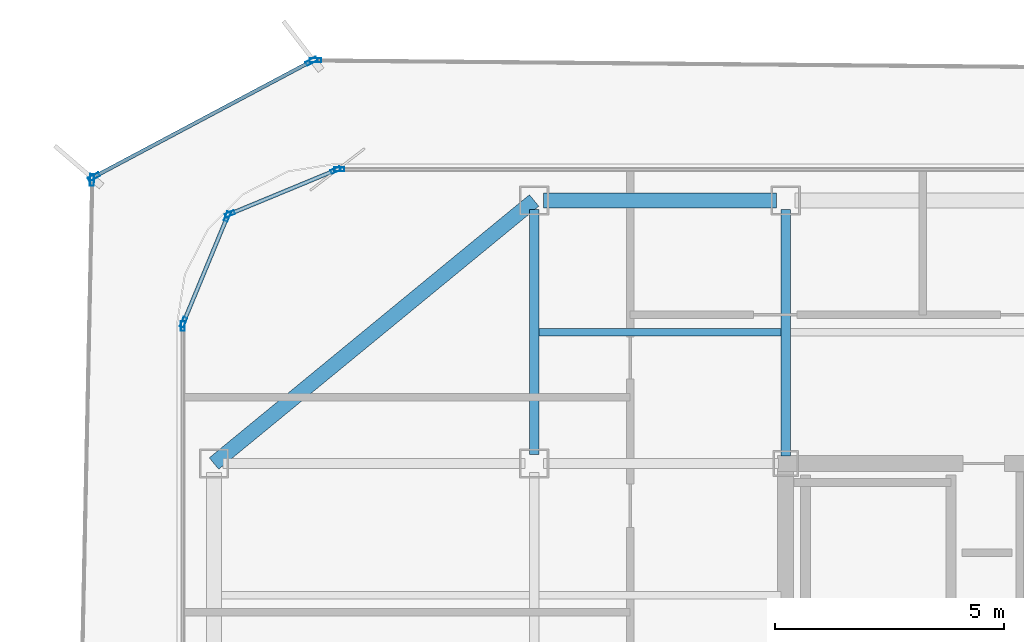
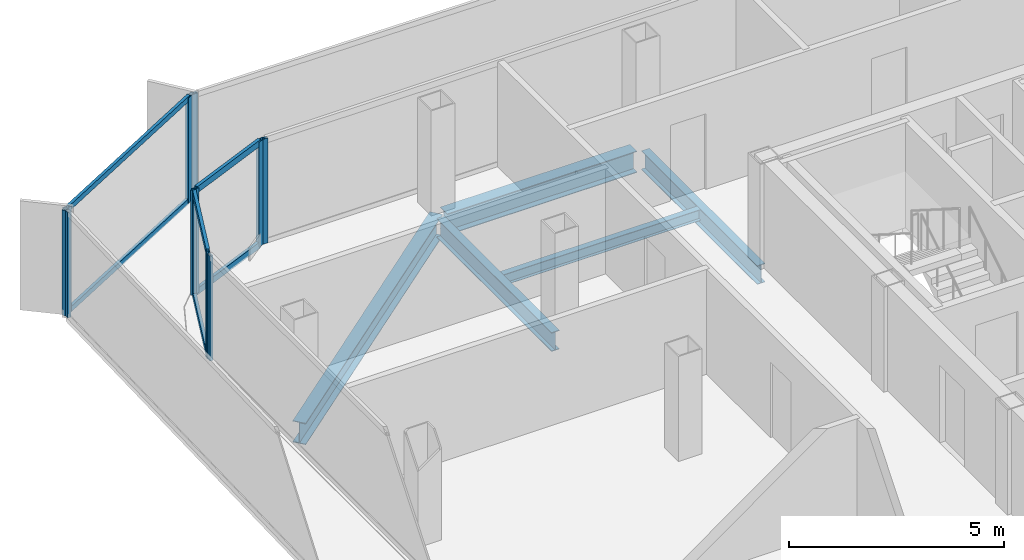
# One storey, part 6 of 15: 16 members, 5 beams, 7 elements without a shape of their own.
"""IFC4 building model written with IfcOpenShell, lengths in metres."""

from ifc_helpers import new_model, si_unit, direction, frame, origin, origin_2d, place, context, subcontext, project, spatial, hollow_rectangle, i_section, extrude, source, transform, mapped, material, layer, layer_set, material_profile, profile_set, type_object, element, aggregate, save


model = new_model("IFC4")

# Units and contexts
model_context = context("Model", 3, precision=1e-05, world=origin(), true_north=direction((0.0, 1.0)))
body_context = subcontext(model_context, "Body", "Model", "MODEL_VIEW")
ifc_project = project(units=[si_unit("LENGTHUNIT", "METRE"), si_unit("AREAUNIT", "SQUARE_METRE"), si_unit("VOLUMEUNIT", "CUBIC_METRE"), si_unit("PLANEANGLEUNIT", "RADIAN"), si_unit("MASSUNIT", "GRAM", prefix="KILO")], contexts=[model_context])

# Site, building, storey
site_placement = place(None, origin())
site = spatial("IfcSite", under=ifc_project, at=site_placement, CompositionType="ELEMENT")
building_placement = place(site_placement, origin())
building = spatial("IfcBuilding", under=site, at=building_placement, Name="Kolveth Station Tower", CompositionType="ELEMENT")
storey_placement = place(building_placement, frame((0.0, 0.0, 255.300048828125)))
storey = spatial("IfcBuildingStorey", under=building, at=storey_placement, Name="L73", CompositionType="ELEMENT", Elevation=255.300048828125)

# Beams
ifc_material_1 = material(Name="Steel S355", Category="steel")
ifc_material_profile_1 = material_profile(ifc_material_1, i_section(OverallWidth=0.323974609375, OverallDepth=0.611083984375, WebThickness=0.0126953125, FlangeThickness=0.01904296875, at=origin_2d()), Name="W610x155")
ifc_profile_set_1 = profile_set([ifc_material_profile_1], Name="Steel S355")
beam_type_1 = type_object("IfcBeamType", Name="Beam_SP2", PredefinedType="SPANDREL", material=ifc_profile_set_1)
shared_shape_1 = source(origin(), body_context, "Body", "SweptSolid", [
    extrude(i_section(OverallWidth=0.323974609375, OverallDepth=0.611083984375, WebThickness=0.0126953125, FlangeThickness=0.01904296875, at=origin_2d()), origin(), (0.0, 0.0, 1.0), 9.058837890625),
])
beam_1_placement = place(storey_placement, frame((13.0, 34.5, -0.525634765625), z_axis=(-0.772726254525, -0.63473942336, 0.0), x_axis=(0.63473942336, -0.772726254525, 0.0)))
element("IfcBeam", 1, at=beam_1_placement, inside=storey, type_object=beam_type_1, Name="L73 Corner Edge Girder BM-L73-CNR-NW", PredefinedType="SPANDREL", context=body_context, shape_type="MappedRepresentation", body=[
    mapped(shared_shape_1, transform((0.0, 0.0, 0.0), x_axis=(1.0, 0.0, 0.0), y_axis=(0.0, 1.0, 0.0), z_axis=(0.0, 0.0, 1.0), scale=1.0)),
])
shared_shape_2 = source(origin(), body_context, "Body", "SweptSolid", [
    extrude(i_section(OverallWidth=0.323974609375, OverallDepth=0.611083984375, WebThickness=0.0126953125, FlangeThickness=0.01904296875, at=origin_2d()), origin(), (0.0, 0.0, 1.0), 5.10009765625),
])
beam_2_placement = place(storey_placement, frame((13.199951171875, 34.5, -0.525634765625), z_axis=(1.0, 0.0, 0.0), x_axis=(0.0, 1.0, 0.0)))
element("IfcBeam", 2, at=beam_2_placement, inside=storey, type_object=beam_type_1, Name="L73 Perimeter Spandrel BM-L73-PN-1", PredefinedType="SPANDREL", context=body_context, shape_type="MappedRepresentation", body=[
    mapped(shared_shape_2, transform((0.0, 0.0, 0.0), x_axis=(1.0, 0.0, 0.0), y_axis=(0.0, 1.0, 0.0), z_axis=(0.0, 0.0, 1.0), scale=1.0)),
])
ifc_material_profile_2 = material_profile(ifc_material_1, i_section(OverallWidth=0.2099609375, OverallDepth=0.537109375, WebThickness=0.010986328125, FlangeThickness=0.017333984375, at=origin_2d()), Name="W530x101")
ifc_profile_set_2 = profile_set([ifc_material_profile_2], Name="Steel S355")
beam_type_2 = type_object("IfcBeamType", Name="Beam_B6", PredefinedType="BEAM", material=ifc_profile_set_2)
shared_shape_3 = source(origin(), body_context, "Body", "SweptSolid", [
    extrude(i_section(OverallWidth=0.2099609375, OverallDepth=0.537109375, WebThickness=0.010986328125, FlangeThickness=0.017333984375, at=origin_2d()), origin(), (0.0, 0.0, 1.0), 5.35009765625),
])
beam_3_placement = place(storey_placement, frame((13.0, 28.949951171875, -0.488525390625), z_axis=(0.0, 1.0, 0.0), x_axis=(-1.0, 0.0, 0.0)))
element("IfcBeam", 3, at=beam_3_placement, inside=storey, type_object=beam_type_2, Name="L73 Primary Girder BM-L73-GX130-6", PredefinedType="BEAM", context=body_context, shape_type="MappedRepresentation", body=[
    mapped(shared_shape_3, transform((0.0, 0.0, 0.0), x_axis=(1.0, 0.0, 0.0), y_axis=(0.0, 1.0, 0.0), z_axis=(0.0, 0.0, 1.0), scale=1.0)),
])
shared_shape_4 = source(origin(), body_context, "Body", "SweptSolid", [
    extrude(i_section(OverallWidth=0.2099609375, OverallDepth=0.537109375, WebThickness=0.010986328125, FlangeThickness=0.017333984375, at=origin_2d()), origin(), (0.0, 0.0, 1.0), 5.39013671875),
])
beam_4_placement = place(storey_placement, frame((18.5, 28.909912109375, -0.488525390625), z_axis=(0.0, 1.0, 0.0), x_axis=(-1.0, 0.0, 0.0)))
element("IfcBeam", 4, at=beam_4_placement, inside=storey, type_object=beam_type_2, Name="L73 Primary Girder BM-L73-GX185-6", PredefinedType="BEAM", context=body_context, shape_type="MappedRepresentation", body=[
    mapped(shared_shape_4, transform((0.0, 0.0, 0.0), x_axis=(1.0, 0.0, 0.0), y_axis=(0.0, 1.0, 0.0), z_axis=(0.0, 0.0, 1.0), scale=1.0)),
])
ifc_material_profile_3 = material_profile(ifc_material_1, i_section(OverallWidth=0.1650390625, OverallDepth=0.31005859375, WebThickness=0.005859375, FlangeThickness=0.009765625, at=origin_2d()), Name="W310x39")
ifc_profile_set_3 = profile_set([ifc_material_profile_3], Name="Steel S355")
beam_type_3 = type_object("IfcBeamType", Name="Beam_J3", PredefinedType="JOIST", material=ifc_profile_set_3)
shared_shape_5 = source(origin(), body_context, "Body", "SweptSolid", [
    extrude(i_section(OverallWidth=0.1650390625, OverallDepth=0.31005859375, WebThickness=0.005859375, FlangeThickness=0.009765625, at=origin_2d()), origin(), (0.0, 0.0, 1.0), 5.2939453125),
])
beam_5_placement = place(storey_placement, frame((13.10302734375, 31.625, -0.375), z_axis=(1.0, 0.0, 0.0), x_axis=(0.0, 1.0, 0.0)))
element("IfcBeam", 5, at=beam_5_placement, inside=storey, type_object=beam_type_3, Name="L73 Secondary Joist JST-L73-2-6", PredefinedType="JOIST", context=body_context, shape_type="MappedRepresentation", body=[
    mapped(shared_shape_5, transform((0.0, 0.0, 0.0), x_axis=(1.0, 0.0, 0.0), y_axis=(0.0, 1.0, 0.0), z_axis=(0.0, 0.0, 1.0), scale=1.0)),
])

# Curtain wall, member
ifc_material_2 = material(Name="Black anodized aluminium 6063-T6 and dark solar glass", Category="aluminium")
ifc_layer_1 = layer(ifc_material_2, 0.159912109375)
ifc_layer_set_1 = layer_set([ifc_layer_1], Name="Black anodized aluminium 6063-T6 and dark solar glass")
curtain_wall_type_1 = type_object("IfcCurtainWallType", Name="OUTER SKIN CW-OS", PredefinedType="NOTDEFINED", material=ifc_layer_set_1)
curtain_wall_1_placement = place(storey_placement, origin())
curtain_wall_1 = element("IfcCurtainWall", 6, at=curtain_wall_1_placement, inside=storey, type_object=curtain_wall_type_1, Name="L73 Outer Ventilated Skin Curtain Wall 4", PredefinedType="NOTDEFINED")
ifc_material_3 = material(Name="Black anodized aluminium 6063-T6", Category="aluminium")
ifc_material_profile_4 = material_profile(ifc_material_3, hollow_rectangle(XDim=0.090087890625, YDim=0.260009765625, WallThickness=0.0048828125, at=origin_2d()), Name="ALU-90x260x5")
ifc_profile_set_4 = profile_set([ifc_material_profile_4], Name="Black anodized aluminium 6063-T6")
member_type_1 = type_object("IfcMemberType", Name="FIN MULLION ML-OS", PredefinedType="MULLION", material=ifc_profile_set_4)
shared_shape_6 = source(origin(), body_context, "Body", "SweptSolid", [
    extrude(hollow_rectangle(XDim=0.090087890625, YDim=0.260009765625, WallThickness=0.0048828125, at=origin_2d()), origin(), (0.0, 0.0, 1.0), 2.989990234375),
])
member_1_placement = place(storey_placement, frame((8.218994140625, 37.56689453125, 0.0), z_axis=(0.0, 0.0, 1.0), x_axis=(-0.009021779458, -0.99995930292, 0.0)))
member_1 = element("IfcMember", 7, at=member_1_placement, type_object=member_type_1, Name="CW-OS mullion 2", PredefinedType="MULLION", context=body_context, shape_type="MappedRepresentation", body=[
    mapped(shared_shape_6, transform((0.0, 0.0, 0.0), x_axis=(1.0, 0.0, 0.0), y_axis=(0.0, 1.0, 0.0), z_axis=(0.0, 0.0, 1.0), scale=1.0)),
])
aggregate(curtain_wall_1, [member_1])

# Curtain wall, members
curtain_wall_2_placement = place(storey_placement, origin())
curtain_wall_2 = element("IfcCurtainWall", 8, at=curtain_wall_2_placement, inside=storey, type_object=curtain_wall_type_1, Name="L73 Outer Ventilated Skin Curtain Wall 5", PredefinedType="NOTDEFINED")
member_2_placement = place(storey_placement, frame((8.13427734375, 37.54638671875, 0.0), z_axis=(0.0, 0.0, 1.0), x_axis=(0.469470454135, -0.882948182338, 0.0)))
member_2 = element("IfcMember", 9, at=member_2_placement, type_object=member_type_1, Name="CW-OS mullion 1", PredefinedType="MULLION", context=body_context, shape_type="MappedRepresentation", body=[
    mapped(shared_shape_6, transform((0.0, 0.0, 0.0), x_axis=(1.0, 0.0, 0.0), y_axis=(0.0, 1.0, 0.0), z_axis=(0.0, 0.0, 1.0), scale=1.0)),
])
member_3_placement = place(storey_placement, frame((3.374267578125, 35.015380859375, 0.0), z_axis=(0.0, 0.0, 1.0), x_axis=(0.469470454135, -0.882948182338, 0.0)))
member_3 = element("IfcMember", 10, at=member_3_placement, type_object=member_type_1, Name="CW-OS mullion 2", PredefinedType="MULLION", context=body_context, shape_type="MappedRepresentation", body=[
    mapped(shared_shape_6, transform((0.0, 0.0, 0.0), x_axis=(1.0, 0.0, 0.0), y_axis=(0.0, 1.0, 0.0), z_axis=(0.0, 0.0, 1.0), scale=1.0)),
])

# Curtain wall, member
curtain_wall_3_placement = place(storey_placement, origin())
curtain_wall_3 = element("IfcCurtainWall", 11, at=curtain_wall_3_placement, inside=storey, type_object=curtain_wall_type_1, Name="L73 Outer Ventilated Skin Curtain Wall 6", PredefinedType="NOTDEFINED")
member_4_placement = place(storey_placement, frame((3.33349609375, 34.94921875, 0.0), z_axis=(0.0, 0.0, 1.0), x_axis=(0.999781025361, -0.02092609205, 0.0)))
member_4 = element("IfcMember", 12, at=member_4_placement, type_object=member_type_1, Name="CW-OS mullion 1", PredefinedType="MULLION", context=body_context, shape_type="MappedRepresentation", body=[
    mapped(shared_shape_6, transform((0.0, 0.0, 0.0), x_axis=(1.0, 0.0, 0.0), y_axis=(0.0, 1.0, 0.0), z_axis=(0.0, 0.0, 1.0), scale=1.0)),
])
aggregate(curtain_wall_3, [member_4])

ifc_material_4 = material(Name="Aluminium 6063-T6 and triple low-E dark glass", Category="aluminium")
ifc_layer_2 = layer(ifc_material_4, 0.199951171875)
ifc_layer_set_2 = layer_set([ifc_layer_2], Name="Aluminium 6063-T6 and triple low-E dark glass")
curtain_wall_type_2 = type_object("IfcCurtainWallType", Name="CurtainWall_CW-Z3", PredefinedType="NOTDEFINED", material=ifc_layer_set_2)
curtain_wall_4_placement = place(storey_placement, origin())
curtain_wall_4 = element("IfcCurtainWall", 13, at=curtain_wall_4_placement, inside=storey, type_object=curtain_wall_type_2, Name="L73 Inner Thermal Curtain Wall 6", PredefinedType="NOTDEFINED")
ifc_material_profile_5 = material_profile(ifc_material_3, hollow_rectangle(XDim=0.0849609375, YDim=0.215087890625, WallThickness=0.0048828125, at=origin_2d()), Name="ALU-85x215x5")
ifc_profile_set_5 = profile_set([ifc_material_profile_5], Name="Black anodized aluminium 6063-T6")
member_type_2 = type_object("IfcMemberType", Name="Mullion_ML3", PredefinedType="MULLION", material=ifc_profile_set_5)
shared_shape_7 = source(origin(), body_context, "Body", "SweptSolid", [
    extrude(hollow_rectangle(XDim=0.0849609375, YDim=0.215087890625, WallThickness=0.0048828125, at=origin_2d()), origin(), (0.0, 0.0, 1.0), 2.97998046875),
])
member_5_placement = place(storey_placement, frame((8.742431640625, 35.179931640625, 0.0), z_axis=(0.0, 0.0, 1.0), x_axis=(0.0, -1.0, 0.0)))
member_5 = element("IfcMember", 14, at=member_5_placement, type_object=member_type_2, Name="CW-Z3 mullion 2", PredefinedType="MULLION", context=body_context, shape_type="MappedRepresentation", body=[
    mapped(shared_shape_7, transform((0.0, 0.0, 0.0), x_axis=(1.0, 0.0, 0.0), y_axis=(0.0, 1.0, 0.0), z_axis=(0.0, 0.0, 1.0), scale=1.0)),
])
aggregate(curtain_wall_4, [member_5])

# Curtain wall, members
curtain_wall_5_placement = place(storey_placement, origin())
curtain_wall_5 = element("IfcCurtainWall", 15, at=curtain_wall_5_placement, inside=storey, type_object=curtain_wall_type_2, Name="L73 Inner Thermal Curtain Wall 7", PredefinedType="NOTDEFINED")
member_6_placement = place(storey_placement, frame((8.66064453125, 35.163818359375, 0.0), z_axis=(0.0, 0.0, 1.0), x_axis=(0.382693194181, -0.923875488975, 0.0)))
member_6 = element("IfcMember", 16, at=member_6_placement, type_object=member_type_2, Name="CW-Z3 mullion 1", PredefinedType="MULLION", context=body_context, shape_type="MappedRepresentation", body=[
    mapped(shared_shape_7, transform((0.0, 0.0, 0.0), x_axis=(1.0, 0.0, 0.0), y_axis=(0.0, 1.0, 0.0), z_axis=(0.0, 0.0, 1.0), scale=1.0)),
])
member_7_placement = place(storey_placement, frame((6.349365234375, 34.206298828125, 0.0), z_axis=(0.0, 0.0, 1.0), x_axis=(0.382693194181, -0.923875488975, 0.0)))
member_7 = element("IfcMember", 17, at=member_7_placement, type_object=member_type_2, Name="CW-Z3 mullion 2", PredefinedType="MULLION", context=body_context, shape_type="MappedRepresentation", body=[
    mapped(shared_shape_7, transform((0.0, 0.0, 0.0), x_axis=(1.0, 0.0, 0.0), y_axis=(0.0, 1.0, 0.0), z_axis=(0.0, 0.0, 1.0), scale=1.0)),
])

curtain_wall_6_placement = place(storey_placement, origin())
curtain_wall_6 = element("IfcCurtainWall", 18, at=curtain_wall_6_placement, inside=storey, type_object=curtain_wall_type_2, Name="L73 Inner Thermal Curtain Wall 8", PredefinedType="NOTDEFINED")
member_8_placement = place(storey_placement, frame((6.293701171875, 34.150634765625, 0.0), z_axis=(0.0, 0.0, 1.0), x_axis=(0.923875488975, -0.382693194181, 0.0)))
member_8 = element("IfcMember", 19, at=member_8_placement, type_object=member_type_2, Name="CW-Z3 mullion 1", PredefinedType="MULLION", context=body_context, shape_type="MappedRepresentation", body=[
    mapped(shared_shape_7, transform((0.0, 0.0, 0.0), x_axis=(1.0, 0.0, 0.0), y_axis=(0.0, 1.0, 0.0), z_axis=(0.0, 0.0, 1.0), scale=1.0)),
])
member_9_placement = place(storey_placement, frame((5.336181640625, 31.83935546875, 0.0), z_axis=(0.0, 0.0, 1.0), x_axis=(0.923875488975, -0.382693194181, 0.0)))
member_9 = element("IfcMember", 20, at=member_9_placement, type_object=member_type_2, Name="CW-Z3 mullion 2", PredefinedType="MULLION", context=body_context, shape_type="MappedRepresentation", body=[
    mapped(shared_shape_7, transform((0.0, 0.0, 0.0), x_axis=(1.0, 0.0, 0.0), y_axis=(0.0, 1.0, 0.0), z_axis=(0.0, 0.0, 1.0), scale=1.0)),
])

# Curtain wall, member
curtain_wall_7_placement = place(storey_placement, origin())
curtain_wall_7 = element("IfcCurtainWall", 21, at=curtain_wall_7_placement, inside=storey, type_object=curtain_wall_type_2, Name="L73 Inner Thermal Curtain Wall 9", PredefinedType="NOTDEFINED")
member_10_placement = place(storey_placement, frame((5.320068359375, 31.757568359375, 0.0), z_axis=(0.0, 0.0, 1.0), x_axis=(1.0, 0.0, 0.0)))
member_10 = element("IfcMember", 22, at=member_10_placement, type_object=member_type_2, Name="CW-Z3 mullion 1", PredefinedType="MULLION", context=body_context, shape_type="MappedRepresentation", body=[
    mapped(shared_shape_7, transform((0.0, 0.0, 0.0), x_axis=(1.0, 0.0, 0.0), y_axis=(0.0, 1.0, 0.0), z_axis=(0.0, 0.0, 1.0), scale=1.0)),
])
aggregate(curtain_wall_7, [member_10])

# Member
ifc_material_profile_6 = material_profile(ifc_material_3, hollow_rectangle(XDim=0.0849609375, YDim=0.179931640625, WallThickness=0.0048828125, at=origin_2d()), Name="ALU-85x180x5")
ifc_profile_set_6 = profile_set([ifc_material_profile_6], Name="Black anodized aluminium 6063-T6")
member_type_3 = type_object("IfcMemberType", Name="Transom_TR3", PredefinedType="USERDEFINED", material=ifc_profile_set_6)
shared_shape_8 = source(origin(), body_context, "Body", "SweptSolid", [
    extrude(hollow_rectangle(XDim=0.0849609375, YDim=0.179931640625, WallThickness=0.0048828125, at=origin_2d()), origin(), (0.0, 0.0, 1.0), 2.417236328125),
])
member_11_placement = place(storey_placement, frame((8.62158203125, 35.1474609375, 0.04248046875), z_axis=(-0.923872799448, -0.382699687013, 0.0), x_axis=(0.382699687013, -0.923872799448, 0.0)))
member_11 = element("IfcMember", 23, at=member_11_placement, type_object=member_type_3, Name="CW-Z3 transom 1.1", ObjectType="TRANSOM", PredefinedType="USERDEFINED", context=body_context, shape_type="MappedRepresentation", body=[
    mapped(shared_shape_8, transform((0.0, 0.0, 0.0), x_axis=(1.0, 0.0, 0.0), y_axis=(0.0, 1.0, 0.0), z_axis=(0.0, 0.0, 1.0), scale=1.0)),
])

member_12_placement = place(storey_placement, frame((8.62158203125, 35.1474609375, 2.9375), z_axis=(-0.923872799448, -0.382699687013, 0.0), x_axis=(0.382699687013, -0.923872799448, 0.0)))
member_12 = element("IfcMember", 24, at=member_12_placement, type_object=member_type_3, Name="CW-Z3 transom 1.2", ObjectType="TRANSOM", PredefinedType="USERDEFINED", context=body_context, shape_type="MappedRepresentation", body=[
    mapped(shared_shape_8, transform((0.0, 0.0, 0.0), x_axis=(1.0, 0.0, 0.0), y_axis=(0.0, 1.0, 0.0), z_axis=(0.0, 0.0, 1.0), scale=1.0)),
])

aggregate(curtain_wall_5, [member_6, member_7, member_11, member_12])

member_13_placement = place(storey_placement, frame((6.277587890625, 34.111572265625, 0.04248046875), z_axis=(-0.382699687013, -0.923872799448, 0.0), x_axis=(0.923872799448, -0.382699687013, 0.0)))
member_13 = element("IfcMember", 25, at=member_13_placement, type_object=member_type_3, Name="CW-Z3 transom 1.1", ObjectType="TRANSOM", PredefinedType="USERDEFINED", context=body_context, shape_type="MappedRepresentation", body=[
    mapped(shared_shape_8, transform((0.0, 0.0, 0.0), x_axis=(1.0, 0.0, 0.0), y_axis=(0.0, 1.0, 0.0), z_axis=(0.0, 0.0, 1.0), scale=1.0)),
])

member_14_placement = place(storey_placement, frame((6.277587890625, 34.111572265625, 2.9375), z_axis=(-0.382699687013, -0.923872799448, 0.0), x_axis=(0.923872799448, -0.382699687013, 0.0)))
member_14 = element("IfcMember", 26, at=member_14_placement, type_object=member_type_3, Name="CW-Z3 transom 1.2", ObjectType="TRANSOM", PredefinedType="USERDEFINED", context=body_context, shape_type="MappedRepresentation", body=[
    mapped(shared_shape_8, transform((0.0, 0.0, 0.0), x_axis=(1.0, 0.0, 0.0), y_axis=(0.0, 1.0, 0.0), z_axis=(0.0, 0.0, 1.0), scale=1.0)),
])

aggregate(curtain_wall_6, [member_8, member_9, member_13, member_14])

ifc_material_profile_7 = material_profile(ifc_material_3, hollow_rectangle(XDim=0.080078125, YDim=0.14990234375, WallThickness=0.0048828125, at=origin_2d()), Name="ALU-80x150x5")
ifc_profile_set_7 = profile_set([ifc_material_profile_7], Name="Black anodized aluminium 6063-T6")
member_type_4 = type_object("IfcMemberType", Name="Transom_TR-OS", PredefinedType="USERDEFINED", material=ifc_profile_set_7)
shared_shape_9 = source(origin(), body_context, "Body", "SweptSolid", [
    extrude(hollow_rectangle(XDim=0.080078125, YDim=0.14990234375, WallThickness=0.0048828125, at=origin_2d()), origin(), (0.0, 0.0, 1.0), 5.301025390625),
])
member_15_placement = place(storey_placement, frame((8.094482421875, 37.525146484375, 0.0400390625), z_axis=(-0.882936166906, -0.469493051246, 0.0), x_axis=(0.469493051246, -0.882936166906, 0.0)))
member_15 = element("IfcMember", 27, at=member_15_placement, type_object=member_type_4, Name="CW-OS transom 1.1", ObjectType="TRANSOM", PredefinedType="USERDEFINED", context=body_context, shape_type="MappedRepresentation", body=[
    mapped(shared_shape_9, transform((0.0, 0.0, 0.0), x_axis=(1.0, 0.0, 0.0), y_axis=(0.0, 1.0, 0.0), z_axis=(0.0, 0.0, 1.0), scale=1.0)),
])

member_16_placement = place(storey_placement, frame((8.094482421875, 37.525146484375, 2.949951171875), z_axis=(-0.882936166906, -0.469493051246, 0.0), x_axis=(0.469493051246, -0.882936166906, 0.0)))
member_16 = element("IfcMember", 28, at=member_16_placement, type_object=member_type_4, Name="CW-OS transom 1.2", ObjectType="TRANSOM", PredefinedType="USERDEFINED", context=body_context, shape_type="MappedRepresentation", body=[
    mapped(shared_shape_9, transform((0.0, 0.0, 0.0), x_axis=(1.0, 0.0, 0.0), y_axis=(0.0, 1.0, 0.0), z_axis=(0.0, 0.0, 1.0), scale=1.0)),
])

aggregate(curtain_wall_2, [member_2, member_3, member_15, member_16])

save(model, "model.ifc")
